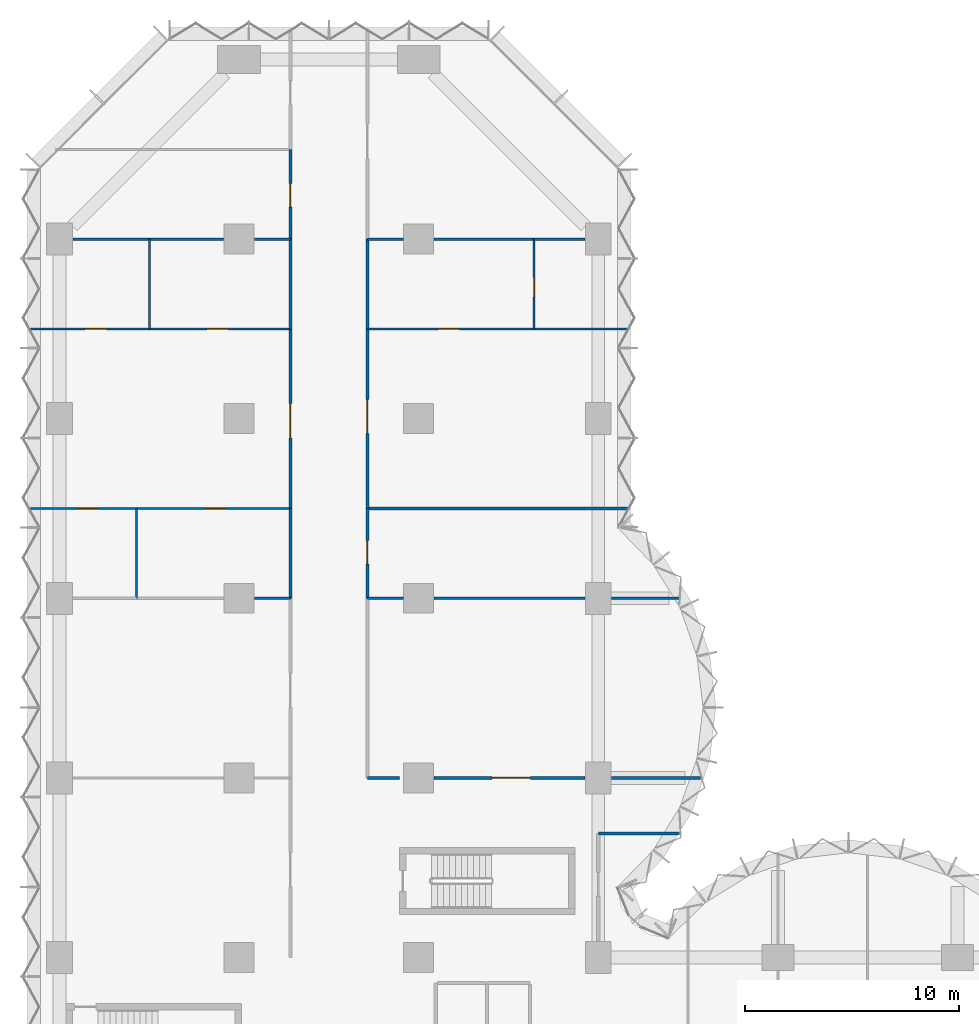
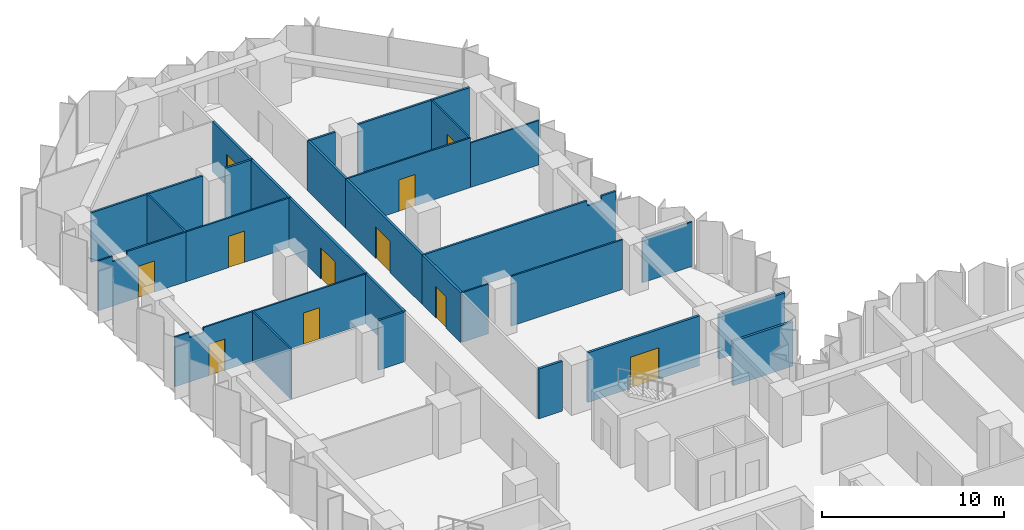
# One storey, part 11 of 15: 31 walls, 11 doors, 11 openings.
"""IFC4 building model written with IfcOpenShell, lengths in metres."""

from ifc_helpers import new_model, si_unit, direction, frame, frame_2d, origin, place, context, subcontext, project, spatial, polyline, rectangle, outline, extrude, material, layer, layer_set, type_object, element, fill, save


model = new_model("IFC4")

# Units and contexts
model_context = context("Model", 3, precision=1e-05, world=origin(), true_north=direction((0.0, 1.0)))
body_context = subcontext(model_context, "Body", "Model", "MODEL_VIEW")
ifc_project = project(units=[si_unit("LENGTHUNIT", "METRE"), si_unit("AREAUNIT", "SQUARE_METRE"), si_unit("VOLUMEUNIT", "CUBIC_METRE"), si_unit("PLANEANGLEUNIT", "RADIAN"), si_unit("MASSUNIT", "GRAM", prefix="KILO")], contexts=[model_context])

# Site, building, storey
site_placement = place(None, origin())
site = spatial("IfcSite", under=ifc_project, at=site_placement, CompositionType="ELEMENT")
building_placement = place(site_placement, origin())
building = spatial("IfcBuilding", under=site, at=building_placement, Name="Brevane Broadcast Tower", CompositionType="ELEMENT")
storey_placement = place(building_placement, frame((0.0, 0.0, 61.699951171875)))
storey = spatial("IfcBuildingStorey", under=building, at=storey_placement, Name="L13", CompositionType="ELEMENT", Elevation=61.699951171875)

# Wall, opening, door
ifc_material_1 = material(Name="Gypsum board partition")
ifc_layer_1 = layer(ifc_material_1, 0.10009765625)
ifc_layer_set_1 = layer_set([ifc_layer_1], Name="PARTITION 100 STUD")
wall_type_1 = type_object("IfcWallType", Name="PARTITION 100 STUD", PredefinedType="PARTITIONING", material=ifc_layer_set_1)
wall_1_placement = place(storey_placement, frame((-1.364990234375, 54.60009765625, 0.0), z_axis=(0.0, 0.0, 1.0), x_axis=(1.0, 0.0, 0.0)))
wall_1 = element("IfcWall", 1, at=wall_1_placement, inside=storey, type_object=wall_type_1, Name="Partition G03-056", PredefinedType="PARTITIONING", context=body_context, shape_type="SweptSolid", body=[
    extrude(outline(polyline([(0.0, 0.0), (5.56494140625, 0.0), (5.56494140625, 3.330078125), (1.81494140625, 3.330078125), (1.81298828125, 2.97998046875), (0.9169921875, 2.97998046875), (0.9150390625, 3.330078125), (0.264892578125, 3.330078125), (0.0, 3.330078125), (0.0, 0.0)])), frame((0.0, 0.050048828125, 0.0), z_axis=(0.0, -1.0, 0.0), x_axis=(1.0, 0.0, 0.0)), (0.0, 0.0, 1.0), 0.10009765625),
])
opening_1_placement = place(wall_1_placement, frame((2.56494140625, 0.0, 0.0)))
opening_1 = element("IfcOpeningElement", 2, at=opening_1_placement, cuts=wall_1, Name="Opening D09-017", PredefinedType="OPENING", context=body_context, shape_type="SweptSolid", body=[
    extrude(rectangle(XDim=1.0, YDim=2.10009765625, at=frame_2d((0.5, 1.050048828125))), frame((0.0, 0.06005859375, 0.0), z_axis=(0.0, -1.0, 0.0), x_axis=(1.0, 0.0, 0.0)), (0.0, 0.0, 1.0), 0.1201171875),
])
ifc_material_2 = material(Name="Timber door leaf", Category="wood")
door_type_1 = type_object("IfcDoorType", Name="DOOR SINGLE 1000 INTERNAL", OperationType="SINGLE_SWING_LEFT", PredefinedType="DOOR", material=ifc_material_2)
door_1_placement = place(opening_1_placement, origin())
door_1 = element("IfcDoor", 3, at=door_1_placement, inside=storey, type_object=door_type_1, Name="Door D09-017", OperationType="SINGLE_SWING_LEFT", OverallHeight=2.10009765625, OverallWidth=1.0, PredefinedType="DOOR", context=body_context, shape_type="SweptSolid", body=[
    extrude(rectangle(XDim=1.0, YDim=2.10009765625, at=frame_2d((0.5, 1.050048828125))), frame((0.0, 0.02490234375, 0.0), z_axis=(0.0, -1.0, 0.0), x_axis=(1.0, 0.0, 0.0)), (0.0, 0.0, 1.0), 0.050048828125),
])
fill(opening_1, door_1)

wall_2_placement = place(storey_placement, frame((4.199951171875, 54.60009765625, 0.0), z_axis=(0.0, 0.0, 1.0), x_axis=(1.0, 0.0, 0.0)))
wall_2 = element("IfcWall", 4, at=wall_2_placement, inside=storey, type_object=wall_type_1, Name="Partition G03-057", PredefinedType="PARTITIONING", context=body_context, shape_type="SweptSolid", body=[
    extrude(rectangle(XDim=6.60009765625, YDim=0.10009765625, at=frame_2d((3.300048828125, 0.0))), origin(), (0.0, 0.0, 1.0), 3.330078125),
])
opening_2_placement = place(wall_2_placement, frame((2.699951171875, 0.0, 0.0)))
opening_2 = element("IfcOpeningElement", 5, at=opening_2_placement, cuts=wall_2, Name="Opening D09-018", PredefinedType="OPENING", context=body_context, shape_type="SweptSolid", body=[
    extrude(rectangle(XDim=1.0, YDim=2.10009765625, at=frame_2d((0.5, 1.050048828125))), frame((0.0, 0.06005859375, 0.0), z_axis=(0.0, -1.0, 0.0), x_axis=(1.0, 0.0, 0.0)), (0.0, 0.0, 1.0), 0.1201171875),
])
door_2_placement = place(opening_2_placement, origin())
door_2 = element("IfcDoor", 6, at=door_2_placement, inside=storey, type_object=door_type_1, Name="Door D09-018", OperationType="SINGLE_SWING_LEFT", OverallHeight=2.10009765625, OverallWidth=1.0, PredefinedType="DOOR", context=body_context, shape_type="SweptSolid", body=[
    extrude(rectangle(XDim=1.0, YDim=2.10009765625, at=frame_2d((0.5, 1.050048828125))), frame((0.0, 0.02490234375, 0.0), z_axis=(0.0, -1.0, 0.0), x_axis=(1.0, 0.0, 0.0)), (0.0, 0.0, 1.0), 0.050048828125),
])
fill(opening_2, door_2)

wall_3_placement = place(storey_placement, frame((3.60009765625, 46.199951171875, 0.0), z_axis=(0.0, 0.0, 1.0), x_axis=(-1.0, 0.0, 0.0)))
wall_3 = element("IfcWall", 7, at=wall_3_placement, inside=storey, type_object=wall_type_1, Name="Partition G03-058", PredefinedType="PARTITIONING", context=body_context, shape_type="SweptSolid", body=[
    extrude(outline(polyline([(0.0, 0.0), (4.965087890625, 0.0), (4.965087890625, 3.330078125), (4.699951171875, 3.330078125), (4.050048828125, 3.330078125), (4.048095703125, 2.97998046875), (3.152099609375, 2.97998046875), (3.14990234375, 3.330078125), (0.0, 3.330078125), (0.0, 0.0)])), frame((0.0, 0.050048828125, 0.0), z_axis=(0.0, -1.0, 0.0), x_axis=(1.0, 0.0, 0.0)), (0.0, 0.0, 1.0), 0.10009765625),
])
opening_3_placement = place(wall_3_placement, frame((1.800048828125, 0.0, 0.0)))
opening_3 = element("IfcOpeningElement", 8, at=opening_3_placement, cuts=wall_3, Name="Opening D09-019", PredefinedType="OPENING", context=body_context, shape_type="SweptSolid", body=[
    extrude(rectangle(XDim=1.0, YDim=2.10009765625, at=frame_2d((0.5, 1.050048828125))), frame((0.0, 0.06005859375, 0.0), z_axis=(0.0, -1.0, 0.0), x_axis=(1.0, 0.0, 0.0)), (0.0, 0.0, 1.0), 0.1201171875),
])
door_3_placement = place(opening_3_placement, origin())
door_3 = element("IfcDoor", 9, at=door_3_placement, inside=storey, type_object=door_type_1, Name="Door D09-019", OperationType="SINGLE_SWING_LEFT", OverallHeight=2.10009765625, OverallWidth=1.0, PredefinedType="DOOR", context=body_context, shape_type="SweptSolid", body=[
    extrude(rectangle(XDim=1.0, YDim=2.10009765625, at=frame_2d((0.5, 1.050048828125))), frame((0.0, 0.02490234375, 0.0), z_axis=(0.0, -1.0, 0.0), x_axis=(1.0, 0.0, 0.0)), (0.0, 0.0, 1.0), 0.050048828125),
])
fill(opening_3, door_3)

wall_4_placement = place(storey_placement, frame((10.800048828125, 46.199951171875, 0.0), z_axis=(0.0, 0.0, 1.0), x_axis=(-1.0, 0.0, 0.0)))
wall_4 = element("IfcWall", 10, at=wall_4_placement, inside=storey, type_object=wall_type_1, Name="Partition G03-059", PredefinedType="PARTITIONING", context=body_context, shape_type="SweptSolid", body=[
    extrude(rectangle(XDim=7.199951171875, YDim=0.10009765625, at=frame_2d((3.60009765625, 0.0))), origin(), (0.0, 0.0, 1.0), 3.330078125),
])
opening_4_placement = place(wall_4_placement, frame((3.0, 0.0, 0.0)))
opening_4 = element("IfcOpeningElement", 11, at=opening_4_placement, cuts=wall_4, Name="Opening D09-020", PredefinedType="OPENING", context=body_context, shape_type="SweptSolid", body=[
    extrude(rectangle(XDim=1.0, YDim=2.10009765625, at=frame_2d((0.5, 1.050048828125))), frame((0.0, 0.06005859375, 0.0), z_axis=(0.0, -1.0, 0.0), x_axis=(1.0, 0.0, 0.0)), (0.0, 0.0, 1.0), 0.1201171875),
])
door_4_placement = place(opening_4_placement, origin())
door_4 = element("IfcDoor", 12, at=door_4_placement, inside=storey, type_object=door_type_1, Name="Door D09-020", OperationType="SINGLE_SWING_LEFT", OverallHeight=2.10009765625, OverallWidth=1.0, PredefinedType="DOOR", context=body_context, shape_type="SweptSolid", body=[
    extrude(rectangle(XDim=1.0, YDim=2.10009765625, at=frame_2d((0.5, 1.050048828125))), frame((0.0, 0.02490234375, 0.0), z_axis=(0.0, -1.0, 0.0), x_axis=(1.0, 0.0, 0.0)), (0.0, 0.0, 1.0), 0.050048828125),
])
fill(opening_4, door_4)

# Walls
for number, where, z_axis, x_axis, name in (
    (13, (4.199951171875, 58.800048828125, 0.0), (0.0, 0.0, 1.0), (0.0, -1.0, 0.0), "Partition G03-060"),
    (14, (3.60009765625, 46.199951171875, 0.0), (0.0, 0.0, 1.0), (0.0, -1.0, 0.0), "Partition G03-064"),
):
    element("IfcWall", number, at=place(storey_placement, frame(where, z_axis=z_axis, x_axis=x_axis)), inside=storey, type_object=wall_type_1, Name=name, PredefinedType="PARTITIONING", context=body_context, shape_type="SweptSolid", body=[
        extrude(rectangle(XDim=4.199951171875, YDim=0.10009765625, at=frame_2d((2.10009765625, 0.0))), origin(), (0.0, 0.0, 1.0), 3.330078125),
    ])
wall_5_placement = place(storey_placement, frame((14.39990234375, 42.0, 0.0), z_axis=(0.0, 0.0, 1.0), x_axis=(1.0, 0.0, 0.0)))
element("IfcWall", 15, at=wall_5_placement, inside=storey, type_object=wall_type_1, Name="Partition G03-066", PredefinedType="PARTITIONING", context=body_context, shape_type="SweptSolid", body=[
    extrude(rectangle(XDim=1.68017578125, YDim=0.10009765625, at=frame_2d((0.840087890625, 0.0))), origin(), (0.0, 0.0, 1.0), 3.330078125),
])
wall_6_placement = place(storey_placement, frame((17.52001953125, 42.0, 0.0), z_axis=(0.0, 0.0, 1.0), x_axis=(1.0, 0.0, 0.0)))
element("IfcWall", 16, at=wall_6_placement, inside=storey, type_object=wall_type_1, Name="Partition G03-067", PredefinedType="PARTITIONING", context=body_context, shape_type="SweptSolid", body=[
    extrude(rectangle(XDim=7.06005859375, YDim=0.10009765625, at=frame_2d((3.530029296875, 0.0))), origin(), (0.0, 0.0, 1.0), 3.330078125),
])
wall_7_placement = place(storey_placement, frame((25.820068359375, 42.0, 0.0), z_axis=(0.0, 0.0, 1.0), x_axis=(1.0, 0.0, 0.0)))
element("IfcWall", 17, at=wall_7_placement, inside=storey, type_object=wall_type_1, Name="Partition G03-068", PredefinedType="PARTITIONING", context=body_context, shape_type="SweptSolid", body=[
    extrude(rectangle(XDim=3.19140625, YDim=0.10009765625, at=frame_2d((1.595703125, 0.0))), origin(), (0.0, 0.0, 1.0), 2.97998046875),
])

# Wall, opening, door
wall_8_placement = place(storey_placement, frame((14.39990234375, 54.60009765625, 0.0), z_axis=(0.0, 0.0, 1.0), x_axis=(1.0, 0.0, 0.0)))
wall_8 = element("IfcWall", 18, at=wall_8_placement, inside=storey, type_object=wall_type_1, Name="Partition G03-070", PredefinedType="PARTITIONING", context=body_context, shape_type="SweptSolid", body=[
    extrude(rectangle(XDim=7.800048828125, YDim=0.10009765625, at=frame_2d((3.89990234375, 0.0))), origin(), (0.0, 0.0, 1.0), 3.330078125),
])
opening_5_placement = place(wall_8_placement, frame((3.300048828125, 0.0, 0.0)))
opening_5 = element("IfcOpeningElement", 19, at=opening_5_placement, cuts=wall_8, Name="Opening D09-026", PredefinedType="OPENING", context=body_context, shape_type="SweptSolid", body=[
    extrude(rectangle(XDim=1.0, YDim=2.10009765625, at=frame_2d((0.5, 1.050048828125))), frame((0.0, 0.06005859375, 0.0), z_axis=(0.0, -1.0, 0.0), x_axis=(1.0, 0.0, 0.0)), (0.0, 0.0, 1.0), 0.1201171875),
])
door_5_placement = place(opening_5_placement, origin())
door_5 = element("IfcDoor", 20, at=door_5_placement, inside=storey, type_object=door_type_1, Name="Door D09-026", OperationType="SINGLE_SWING_LEFT", OverallHeight=2.10009765625, OverallWidth=1.0, PredefinedType="DOOR", context=body_context, shape_type="SweptSolid", body=[
    extrude(rectangle(XDim=1.0, YDim=2.10009765625, at=frame_2d((0.5, 1.050048828125))), frame((0.0, 0.02490234375, 0.0), z_axis=(0.0, -1.0, 0.0), x_axis=(1.0, 0.0, 0.0)), (0.0, 0.0, 1.0), 0.050048828125),
])
fill(opening_5, door_5)

# Wall
wall_9_placement = place(storey_placement, frame((22.199951171875, 54.60009765625, 0.0), z_axis=(0.0, 0.0, 1.0), x_axis=(1.0, 0.0, 0.0)))
element("IfcWall", 21, at=wall_9_placement, inside=storey, type_object=wall_type_1, Name="Partition G03-071", PredefinedType="PARTITIONING", context=body_context, shape_type="SweptSolid", body=[
    extrude(rectangle(XDim=4.364990234375, YDim=0.10009765625, at=frame_2d((2.1826171875, 0.0))), origin(), (0.0, 0.0, 1.0), 2.97998046875),
])

# Wall, opening, door
wall_10_placement = place(storey_placement, frame((22.199951171875, 58.800048828125, 0.0), z_axis=(0.0, 0.0, 1.0), x_axis=(0.0, -1.0, 0.0)))
wall_10 = element("IfcWall", 22, at=wall_10_placement, inside=storey, type_object=wall_type_1, Name="Partition G03-072", PredefinedType="PARTITIONING", context=body_context, shape_type="SweptSolid", body=[
    extrude(rectangle(XDim=4.199951171875, YDim=0.10009765625, at=frame_2d((2.10009765625, 0.0))), origin(), (0.0, 0.0, 1.0), 3.330078125),
])
opening_6_placement = place(wall_10_placement, frame((1.800048828125, 0.0, 0.0)))
opening_6 = element("IfcOpeningElement", 23, at=opening_6_placement, cuts=wall_10, Name="Opening D09-027", PredefinedType="OPENING", context=body_context, shape_type="SweptSolid", body=[
    extrude(rectangle(XDim=0.89990234375, YDim=2.10009765625, at=frame_2d((0.449951171875, 1.050048828125))), frame((0.0, 0.06005859375, 0.0), z_axis=(0.0, -1.0, 0.0), x_axis=(1.0, 0.0, 0.0)), (0.0, 0.0, 1.0), 0.1201171875),
])
door_type_2 = type_object("IfcDoorType", Name="DOOR SINGLE 900 INTERNAL", OperationType="SINGLE_SWING_LEFT", PredefinedType="DOOR", material=ifc_material_2)
door_6_placement = place(opening_6_placement, origin())
door_6 = element("IfcDoor", 24, at=door_6_placement, inside=storey, type_object=door_type_2, Name="Door D09-027", OperationType="SINGLE_SWING_LEFT", OverallHeight=2.10009765625, OverallWidth=0.89990234375, PredefinedType="DOOR", context=body_context, shape_type="SweptSolid", body=[
    extrude(rectangle(XDim=0.89990234375, YDim=2.10009765625, at=frame_2d((0.449951171875, 1.050048828125))), frame((0.0, 0.02490234375, 0.0), z_axis=(0.0, -1.0, 0.0), x_axis=(1.0, 0.0, 0.0)), (0.0, 0.0, 1.0), 0.050048828125),
])
fill(opening_6, door_6)

# Walls
ifc_layer_2 = layer(ifc_material_1, 0.125)
ifc_layer_set_2 = layer_set([ifc_layer_2], Name="PARTITION 125 ACOUSTIC")
wall_type_2 = type_object("IfcWallType", Name="PARTITION 125 ACOUSTIC", PredefinedType="PARTITIONING", material=ifc_layer_set_2)
wall_11_placement = place(storey_placement, frame((9.1201171875, 42.0, 0.0), z_axis=(0.0, 0.0, 1.0), x_axis=(1.0, 0.0, 0.0)))
element("IfcWall", 25, at=wall_11_placement, inside=storey, type_object=wall_type_2, Name="Partition G03-055", PredefinedType="PARTITIONING", context=body_context, shape_type="SweptSolid", body=[
    extrude(rectangle(XDim=1.679931640625, YDim=0.125, at=frame_2d((0.83984375, 0.0))), origin(), (0.0, 0.0, 1.0), 3.330078125),
])
wall_12_placement = place(storey_placement, frame((0.6201171875, 58.800048828125, 0.0), z_axis=(0.0, 0.0, 1.0), x_axis=(1.0, 0.0, 0.0)))
element("IfcWall", 26, at=wall_12_placement, inside=storey, type_object=wall_type_2, Name="Partition G03-061", PredefinedType="PARTITIONING", context=body_context, shape_type="SweptSolid", body=[
    extrude(rectangle(XDim=3.579833984375, YDim=0.125, at=frame_2d((1.7900390625, 0.0))), origin(), (0.0, 0.0, 1.0), 3.330078125),
])
wall_13_placement = place(storey_placement, frame((4.199951171875, 58.800048828125, 0.0), z_axis=(0.0, 0.0, 1.0), x_axis=(1.0, 0.0, 0.0)))
element("IfcWall", 27, at=wall_13_placement, inside=storey, type_object=wall_type_2, Name="Partition G03-062", PredefinedType="PARTITIONING", context=body_context, shape_type="SweptSolid", body=[
    extrude(rectangle(XDim=3.47998046875, YDim=0.125, at=frame_2d((1.739990234375, 0.0))), origin(), (0.0, 0.0, 1.0), 3.330078125),
])
wall_14_placement = place(storey_placement, frame((9.1201171875, 58.800048828125, 0.0), z_axis=(0.0, 0.0, 1.0), x_axis=(1.0, 0.0, 0.0)))
element("IfcWall", 28, at=wall_14_placement, inside=storey, type_object=wall_type_2, Name="Partition G03-063", PredefinedType="PARTITIONING", context=body_context, shape_type="SweptSolid", body=[
    extrude(rectangle(XDim=1.679931640625, YDim=0.125, at=frame_2d((0.83984375, 0.0))), origin(), (0.0, 0.0, 1.0), 3.330078125),
])
wall_15_placement = place(storey_placement, frame((14.39990234375, 46.199951171875, 0.0), z_axis=(0.0, 0.0, 1.0), x_axis=(1.0, 0.0, 0.0)))
element("IfcWall", 29, at=wall_15_placement, inside=storey, type_object=wall_type_2, Name="Partition G03-069", PredefinedType="PARTITIONING", context=body_context, shape_type="SweptSolid", body=[
    extrude(outline(polyline([(0.0, 0.0), (12.1650390625, 0.0), (12.1650390625, 3.330078125), (11.89990234375, 3.330078125), (11.25, 3.330078125), (11.248046875, 2.97998046875), (10.35205078125, 2.97998046875), (10.35009765625, 3.330078125), (0.0, 3.330078125), (0.0, 0.0)])), frame((0.0, 0.0625, 0.0), z_axis=(0.0, -1.0, 0.0), x_axis=(1.0, 0.0, 0.0)), (0.0, 0.0, 1.0), 0.125),
])
wall_16_placement = place(storey_placement, frame((14.39990234375, 58.800048828125, 0.0), z_axis=(0.0, 0.0, 1.0), x_axis=(1.0, 0.0, 0.0)))
element("IfcWall", 30, at=wall_16_placement, inside=storey, type_object=wall_type_2, Name="Partition G03-073", PredefinedType="PARTITIONING", context=body_context, shape_type="SweptSolid", body=[
    extrude(rectangle(XDim=1.68017578125, YDim=0.125, at=frame_2d((0.840087890625, 0.0))), origin(), (0.0, 0.0, 1.0), 3.330078125),
])
wall_17_placement = place(storey_placement, frame((17.52001953125, 58.800048828125, 0.0), z_axis=(0.0, 0.0, 1.0), x_axis=(1.0, 0.0, 0.0)))
element("IfcWall", 31, at=wall_17_placement, inside=storey, type_object=wall_type_2, Name="Partition G03-074", PredefinedType="PARTITIONING", context=body_context, shape_type="SweptSolid", body=[
    extrude(rectangle(XDim=4.679931640625, YDim=0.125, at=frame_2d((2.33984375, 0.0))), origin(), (0.0, 0.0, 1.0), 3.330078125),
])
wall_18_placement = place(storey_placement, frame((22.199951171875, 58.800048828125, 0.0), z_axis=(0.0, 0.0, 1.0), x_axis=(1.0, 0.0, 0.0)))
element("IfcWall", 32, at=wall_18_placement, inside=storey, type_object=wall_type_2, Name="Partition G03-075", PredefinedType="PARTITIONING", context=body_context, shape_type="SweptSolid", body=[
    extrude(rectangle(XDim=2.380126953125, YDim=0.125, at=frame_2d((1.18994140625, 0.0))), origin(), (0.0, 0.0, 1.0), 3.330078125),
])
ifc_layer_3 = layer(ifc_material_1, 0.14990234375)
ifc_layer_set_3 = layer_set([ifc_layer_3], Name="PARTITION 150 EI 60")
wall_type_3 = type_object("IfcWallType", Name="PARTITION 150 EI 60", PredefinedType="PARTITIONING", material=ifc_layer_set_3)
wall_19_placement = place(storey_placement, frame((25.199951171875, 31.0, 0.0), z_axis=(0.0, 0.0, 1.0), x_axis=(1.0, 0.0, 0.0)))
element("IfcWall", 33, at=wall_19_placement, inside=storey, type_object=wall_type_3, Name="Partition G03-006", PredefinedType="PARTITIONING", context=body_context, shape_type="SweptSolid", body=[
    extrude(rectangle(XDim=3.80615234375, YDim=0.14990234375, at=frame_2d((1.903076171875, 0.0))), origin(), (0.0, 0.0, 1.0), 2.97998046875),
])
wall_20_placement = place(storey_placement, frame((14.39990234375, 33.60009765625, 0.0), z_axis=(0.0, 0.0, 1.0), x_axis=(1.0, 0.0, 0.0)))
element("IfcWall", 34, at=wall_20_placement, inside=storey, type_object=wall_type_3, Name="Partition G03-037", PredefinedType="PARTITIONING", context=body_context, shape_type="SweptSolid", body=[
    extrude(rectangle(XDim=1.5, YDim=0.14990234375, at=frame_2d((0.75, 0.0))), origin(), (0.0, 0.0, 1.0), 3.330078125),
])

# Wall, opening, door
wall_21_placement = place(storey_placement, frame((17.52001953125, 33.60009765625, 0.0), z_axis=(0.0, 0.0, 1.0), x_axis=(1.0, 0.0, 0.0)))
wall_21 = element("IfcWall", 35, at=wall_21_placement, inside=storey, type_object=wall_type_3, Name="Partition G03-038", PredefinedType="PARTITIONING", context=body_context, shape_type="SweptSolid", body=[
    extrude(rectangle(XDim=7.06005859375, YDim=0.14990234375, at=frame_2d((3.530029296875, 0.0))), origin(), (0.0, 0.0, 1.0), 3.330078125),
])
opening_7_placement = place(wall_21_placement, frame((2.699951171875, 0.0, 0.0)))
opening_7 = element("IfcOpeningElement", 36, at=opening_7_placement, cuts=wall_21, Name="Opening D09-023", PredefinedType="OPENING", context=body_context, shape_type="SweptSolid", body=[
    extrude(rectangle(XDim=1.800048828125, YDim=2.10009765625, at=frame_2d((0.89990234375, 1.050048828125))), frame((0.0, 0.0849609375, 0.0), z_axis=(0.0, -1.0, 0.0), x_axis=(1.0, 0.0, 0.0)), (0.0, 0.0, 1.0), 0.169921875),
])
ifc_material_3 = material(Name="Fire-rated timber door leaf", Category="wood")
door_type_3 = type_object("IfcDoorType", Name="DOOR DOUBLE 1800 FD30S", OperationType="DOUBLE_DOOR_SINGLE_SWING", PredefinedType="DOOR", material=ifc_material_3)
door_7_placement = place(opening_7_placement, origin())
door_7 = element("IfcDoor", 37, at=door_7_placement, inside=storey, type_object=door_type_3, Name="Door D09-023", OperationType="DOUBLE_DOOR_SINGLE_SWING", OverallHeight=2.10009765625, OverallWidth=1.800048828125, PredefinedType="DOOR", context=body_context, shape_type="SweptSolid", body=[
    extrude(rectangle(XDim=1.800048828125, YDim=2.10009765625, at=frame_2d((0.89990234375, 1.050048828125))), frame((0.0, 0.02490234375, 0.0), z_axis=(0.0, -1.0, 0.0), x_axis=(1.0, 0.0, 0.0)), (0.0, 0.0, 1.0), 0.050048828125),
])
fill(opening_7, door_7)

# Wall
wall_22_placement = place(storey_placement, frame((25.820068359375, 33.60009765625, 0.0), z_axis=(0.0, 0.0, 1.0), x_axis=(1.0, 0.0, 0.0)))
element("IfcWall", 38, at=wall_22_placement, inside=storey, type_object=wall_type_3, Name="Partition G03-039", PredefinedType="PARTITIONING", context=body_context, shape_type="SweptSolid", body=[
    extrude(rectangle(XDim=4.168212890625, YDim=0.14990234375, at=frame_2d((2.083984375, 0.0))), origin(), (0.0, 0.0, 1.0), 2.97998046875),
])

# Wall, opening, door
wall_23_placement = place(storey_placement, frame((10.800048828125, 46.199951171875, 0.0), z_axis=(0.0, 0.0, 1.0), x_axis=(0.0, 1.0, 0.0)))
wall_23 = element("IfcWall", 39, at=wall_23_placement, inside=storey, type_object=wall_type_3, Name="Partition G03-041", PredefinedType="PARTITIONING", context=body_context, shape_type="SweptSolid", body=[
    extrude(rectangle(XDim=8.400146484375, YDim=0.14990234375, at=frame_2d((4.2001953125, 0.0))), origin(), (0.0, 0.0, 1.0), 3.330078125),
])
opening_8_placement = place(wall_23_placement, frame((3.300048828125, 0.0, 0.0)))
opening_8 = element("IfcOpeningElement", 40, at=opening_8_placement, cuts=wall_23, Name="Opening D09-016", PredefinedType="OPENING", context=body_context, shape_type="SweptSolid", body=[
    extrude(rectangle(XDim=1.60009765625, YDim=2.10009765625, at=frame_2d((0.800048828125, 1.050048828125))), frame((0.0, 0.0849609375, 0.0), z_axis=(0.0, -1.0, 0.0), x_axis=(1.0, 0.0, 0.0)), (0.0, 0.0, 1.0), 0.169921875),
])
door_type_4 = type_object("IfcDoorType", Name="DOOR DOUBLE 1600 FD30S", OperationType="DOUBLE_DOOR_SINGLE_SWING", PredefinedType="DOOR", material=ifc_material_3)
door_8_placement = place(opening_8_placement, origin())
door_8 = element("IfcDoor", 41, at=door_8_placement, inside=storey, type_object=door_type_4, Name="Door D09-016", OperationType="DOUBLE_DOOR_SINGLE_SWING", OverallHeight=2.10009765625, OverallWidth=1.60009765625, PredefinedType="DOOR", context=body_context, shape_type="SweptSolid", body=[
    extrude(rectangle(XDim=1.60009765625, YDim=2.10009765625, at=frame_2d((0.800048828125, 1.050048828125))), frame((0.0, 0.02490234375, 0.0), z_axis=(0.0, -1.0, 0.0), x_axis=(1.0, 0.0, 0.0)), (0.0, 0.0, 1.0), 0.050048828125),
])
fill(opening_8, door_8)

# Walls
for number, where, z_axis, x_axis, name in (
    (42, (10.800048828125, 54.60009765625, 0.0), (0.0, 0.0, 1.0), (0.0, 1.0, 0.0), "Partition G03-042"),
    (43, (10.800048828125, 42.0, 0.0), (0.0, 0.0, 1.0), (0.0, 1.0, 0.0), "Partition G03-043"),
):
    element("IfcWall", number, at=place(storey_placement, frame(where, z_axis=z_axis, x_axis=x_axis)), inside=storey, type_object=wall_type_3, Name=name, PredefinedType="PARTITIONING", context=body_context, shape_type="SweptSolid", body=[
        extrude(rectangle(XDim=4.199951171875, YDim=0.14990234375, at=frame_2d((2.10009765625, 0.0))), origin(), (0.0, 0.0, 1.0), 3.330078125),
    ])

# Wall, opening, door
wall_24_placement = place(storey_placement, frame((10.800048828125, 58.800048828125, 0.0), z_axis=(0.0, 0.0, 1.0), x_axis=(0.0, 1.0, 0.0)))
wall_24 = element("IfcWall", 44, at=wall_24_placement, inside=storey, type_object=wall_type_3, Name="Partition G03-044", PredefinedType="PARTITIONING", context=body_context, shape_type="SweptSolid", body=[
    extrude(rectangle(XDim=4.199951171875, YDim=0.14990234375, at=frame_2d((2.10009765625, 0.0))), origin(), (0.0, 0.0, 1.0), 3.330078125),
])
opening_9_placement = place(wall_24_placement, frame((1.5, 0.0, 0.0)))
opening_9 = element("IfcOpeningElement", 45, at=opening_9_placement, cuts=wall_24, Name="Opening D09-021", PredefinedType="OPENING", context=body_context, shape_type="SweptSolid", body=[
    extrude(rectangle(XDim=1.10009765625, YDim=2.10009765625, at=frame_2d((0.550048828125, 1.050048828125))), frame((0.0, 0.0849609375, 0.0), z_axis=(0.0, -1.0, 0.0), x_axis=(1.0, 0.0, 0.0)), (0.0, 0.0, 1.0), 0.169921875),
])
door_type_5 = type_object("IfcDoorType", Name="DOOR SINGLE 1100 FD30S", OperationType="SINGLE_SWING_LEFT", PredefinedType="DOOR", material=ifc_material_3)
door_9_placement = place(opening_9_placement, origin())
door_9 = element("IfcDoor", 46, at=door_9_placement, inside=storey, type_object=door_type_5, Name="Door D09-021", OperationType="SINGLE_SWING_LEFT", OverallHeight=2.10009765625, OverallWidth=1.10009765625, PredefinedType="DOOR", context=body_context, shape_type="SweptSolid", body=[
    extrude(rectangle(XDim=1.10009765625, YDim=2.10009765625, at=frame_2d((0.550048828125, 1.050048828125))), frame((0.0, 0.02490234375, 0.0), z_axis=(0.0, -1.0, 0.0), x_axis=(1.0, 0.0, 0.0)), (0.0, 0.0, 1.0), 0.050048828125),
])
fill(opening_9, door_9)

wall_25_placement = place(storey_placement, frame((14.39990234375, 46.199951171875, 0.0), z_axis=(0.0, 0.0, 1.0), x_axis=(0.0, -1.0, 0.0)))
wall_25 = element("IfcWall", 47, at=wall_25_placement, inside=storey, type_object=wall_type_3, Name="Partition G03-047", PredefinedType="PARTITIONING", context=body_context, shape_type="SweptSolid", body=[
    extrude(rectangle(XDim=4.199951171875, YDim=0.14990234375, at=frame_2d((2.10009765625, 0.0))), origin(), (0.0, 0.0, 1.0), 3.330078125),
])
opening_10_placement = place(wall_25_placement, frame((1.5, 0.0, 0.0)))
opening_10 = element("IfcOpeningElement", 48, at=opening_10_placement, cuts=wall_25, Name="Opening D09-024", PredefinedType="OPENING", context=body_context, shape_type="SweptSolid", body=[
    extrude(rectangle(XDim=1.10009765625, YDim=2.10009765625, at=frame_2d((0.550048828125, 1.050048828125))), frame((0.0, 0.0849609375, 0.0), z_axis=(0.0, -1.0, 0.0), x_axis=(1.0, 0.0, 0.0)), (0.0, 0.0, 1.0), 0.169921875),
])
door_10_placement = place(opening_10_placement, origin())
door_10 = element("IfcDoor", 49, at=door_10_placement, inside=storey, type_object=door_type_5, Name="Door D09-024", OperationType="SINGLE_SWING_LEFT", OverallHeight=2.10009765625, OverallWidth=1.10009765625, PredefinedType="DOOR", context=body_context, shape_type="SweptSolid", body=[
    extrude(rectangle(XDim=1.10009765625, YDim=2.10009765625, at=frame_2d((0.550048828125, 1.050048828125))), frame((0.0, 0.02490234375, 0.0), z_axis=(0.0, -1.0, 0.0), x_axis=(1.0, 0.0, 0.0)), (0.0, 0.0, 1.0), 0.050048828125),
])
fill(opening_10, door_10)

wall_26_placement = place(storey_placement, frame((14.39990234375, 54.60009765625, 0.0), z_axis=(0.0, 0.0, 1.0), x_axis=(0.0, -1.0, 0.0)))
wall_26 = element("IfcWall", 50, at=wall_26_placement, inside=storey, type_object=wall_type_3, Name="Partition G03-048", PredefinedType="PARTITIONING", context=body_context, shape_type="SweptSolid", body=[
    extrude(rectangle(XDim=8.400146484375, YDim=0.14990234375, at=frame_2d((4.2001953125, 0.0))), origin(), (0.0, 0.0, 1.0), 3.330078125),
])
opening_11_placement = place(wall_26_placement, frame((3.300048828125, 0.0, 0.0)))
opening_11 = element("IfcOpeningElement", 51, at=opening_11_placement, cuts=wall_26, Name="Opening D09-025", PredefinedType="OPENING", context=body_context, shape_type="SweptSolid", body=[
    extrude(rectangle(XDim=1.60009765625, YDim=2.10009765625, at=frame_2d((0.800048828125, 1.050048828125))), frame((0.0, 0.0849609375, 0.0), z_axis=(0.0, -1.0, 0.0), x_axis=(1.0, 0.0, 0.0)), (0.0, 0.0, 1.0), 0.169921875),
])
door_11_placement = place(opening_11_placement, origin())
door_11 = element("IfcDoor", 52, at=door_11_placement, inside=storey, type_object=door_type_4, Name="Door D09-025", OperationType="DOUBLE_DOOR_SINGLE_SWING", OverallHeight=2.10009765625, OverallWidth=1.60009765625, PredefinedType="DOOR", context=body_context, shape_type="SweptSolid", body=[
    extrude(rectangle(XDim=1.60009765625, YDim=2.10009765625, at=frame_2d((0.800048828125, 1.050048828125))), frame((0.0, 0.02490234375, 0.0), z_axis=(0.0, -1.0, 0.0), x_axis=(1.0, 0.0, 0.0)), (0.0, 0.0, 1.0), 0.050048828125),
])
fill(opening_11, door_11)

# Wall
wall_27_placement = place(storey_placement, frame((14.39990234375, 58.800048828125, 0.0), z_axis=(0.0, 0.0, 1.0), x_axis=(0.0, -1.0, 0.0)))
element("IfcWall", 53, at=wall_27_placement, inside=storey, type_object=wall_type_3, Name="Partition G03-049", PredefinedType="PARTITIONING", context=body_context, shape_type="SweptSolid", body=[
    extrude(rectangle(XDim=4.199951171875, YDim=0.14990234375, at=frame_2d((2.10009765625, 0.0))), origin(), (0.0, 0.0, 1.0), 3.330078125),
])

save(model, "model.ifc")
